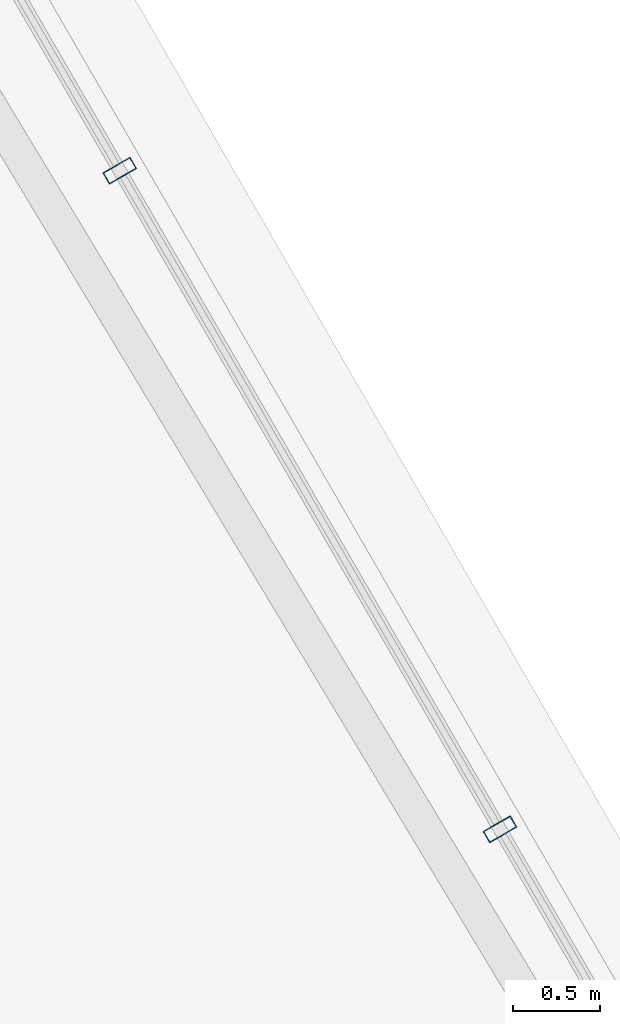
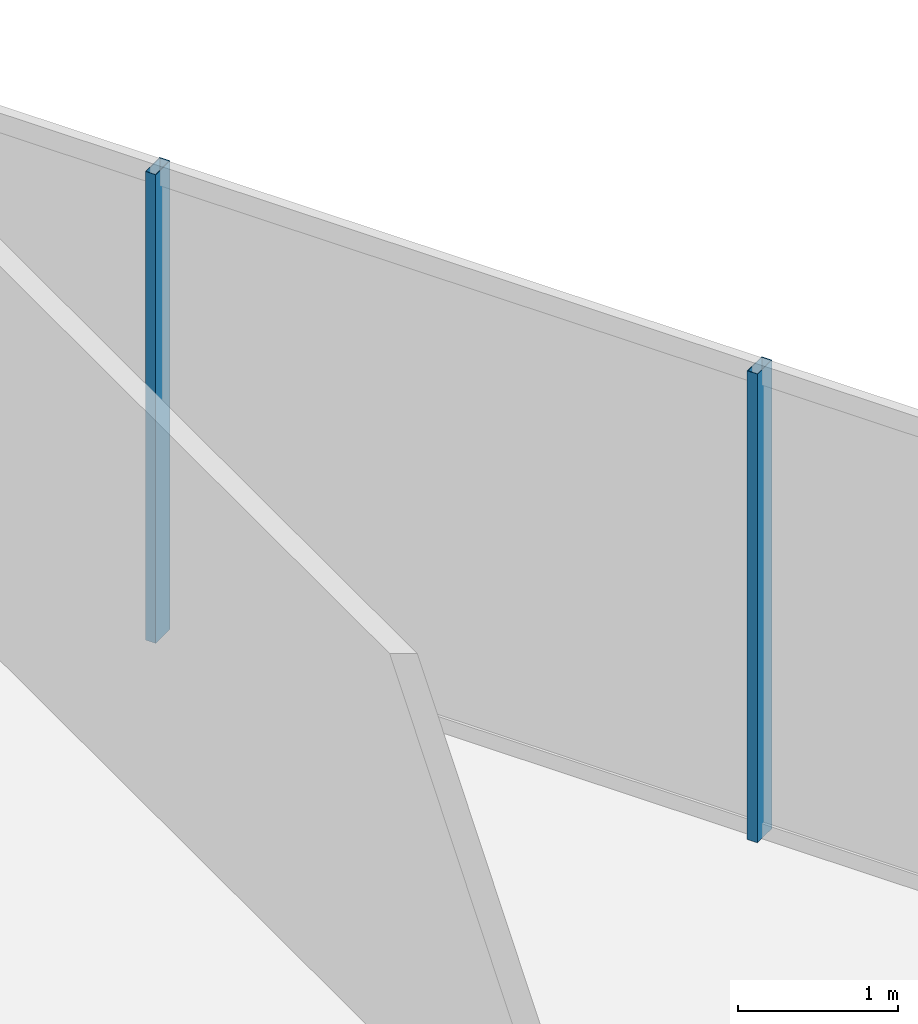
# One storey, part 19 of 29: 2 members, 1 element without a shape of its own.
"""IFC4 building model written with IfcOpenShell, lengths in metres."""

from ifc_helpers import new_model, si_unit, direction, frame, origin, origin_2d, place, context, subcontext, project, spatial, hollow_rectangle, extrude, material, layer, layer_set, material_profile, profile_set, type_object, element, aggregate, save


model = new_model("IFC4")

# Units and contexts
model_context = context("Model", 3, precision=1e-05, world=origin(), true_north=direction((0.0, 1.0)))
body_context = subcontext(model_context, "Body", "Model", "MODEL_VIEW")
ifc_project = project(units=[si_unit("LENGTHUNIT", "METRE"), si_unit("AREAUNIT", "SQUARE_METRE"), si_unit("VOLUMEUNIT", "CUBIC_METRE"), si_unit("PLANEANGLEUNIT", "RADIAN"), si_unit("MASSUNIT", "GRAM", prefix="KILO")], contexts=[model_context])

# Site, building, storey
site_placement = place(None, origin())
site = spatial("IfcSite", under=ifc_project, at=site_placement, CompositionType="ELEMENT")
building_placement = place(site_placement, origin())
building = spatial("IfcBuilding", under=site, at=building_placement, Name="Ndaravel Arena Tower", CompositionType="ELEMENT")
storey_placement = place(building_placement, frame((0.0, 0.0, 229.39990234375)))
storey = spatial("IfcBuildingStorey", under=building, at=storey_placement, Name="L55", CompositionType="ELEMENT", Elevation=229.39990234375)

# Curtain wall, members
ifc_material_1 = material(Name="Aluminium", Category="aluminium")
ifc_layer = layer(ifc_material_1, 0.179931640625)
ifc_layer_set = layer_set([ifc_layer], Name="Aluminium")
curtain_wall_type = type_object("IfcCurtainWallType", Name="CW-SYS-03", PredefinedType="NOTDEFINED", material=ifc_layer_set)
curtain_wall_placement = place(storey_placement, origin())
curtain_wall = element("IfcCurtainWall", 1, at=curtain_wall_placement, inside=storey, type_object=curtain_wall_type, Name="L55 Faceted Crystal Curtain Wall CW-L55-E03", PredefinedType="NOTDEFINED")
ifc_material_2 = material(Name="Aluminium", Category="aluminium")
ifc_material_profile = material_profile(ifc_material_2, hollow_rectangle(XDim=0.074951171875, YDim=0.179931640625, WallThickness=0.00390625, at=origin_2d()), Name="CW MULLION 75x180x4")
ifc_profile_set = profile_set([ifc_material_profile], Name="Aluminium")
member_type = type_object("IfcMemberType", Name="MEM-CW-MUL180", PredefinedType="MULLION", material=ifc_profile_set)
member_1_placement = place(storey_placement, frame((54.296875, 30.224853515625, 0.0), z_axis=(0.0, 0.0, 1.0), x_axis=(-0.5, 0.866025403784, 0.0)))
member_1 = element("IfcMember", 2, at=member_1_placement, type_object=member_type, Name="CW-L55-E03 Mullion 05", PredefinedType="MULLION", context=body_context, shape_type="SweptSolid", body=[
    extrude(hollow_rectangle(XDim=0.074951171875, YDim=0.179931640625, WallThickness=0.00390625, at=origin_2d()), origin(), (0.0, 0.0, 1.0), 3.580078125),
])
member_2_placement = place(storey_placement, frame((52.12255859375, 33.990966796875, 0.0), z_axis=(0.0, 0.0, 1.0), x_axis=(-0.5, 0.866025403784, 0.0)))
member_2 = element("IfcMember", 3, at=member_2_placement, type_object=member_type, Name="CW-L55-E03 Mullion 06", PredefinedType="MULLION", context=body_context, shape_type="SweptSolid", body=[
    extrude(hollow_rectangle(XDim=0.074951171875, YDim=0.179931640625, WallThickness=0.00390625, at=origin_2d()), origin(), (0.0, 0.0, 1.0), 3.580078125),
])
aggregate(curtain_wall, [member_1, member_2])

save(model, "model.ifc")
